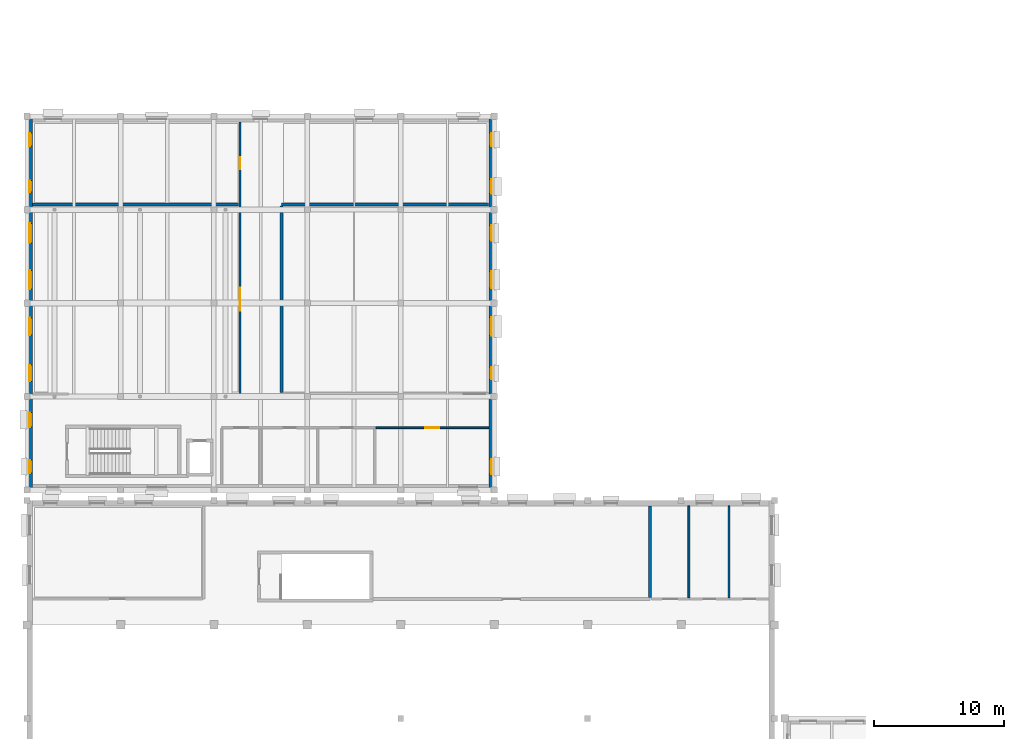
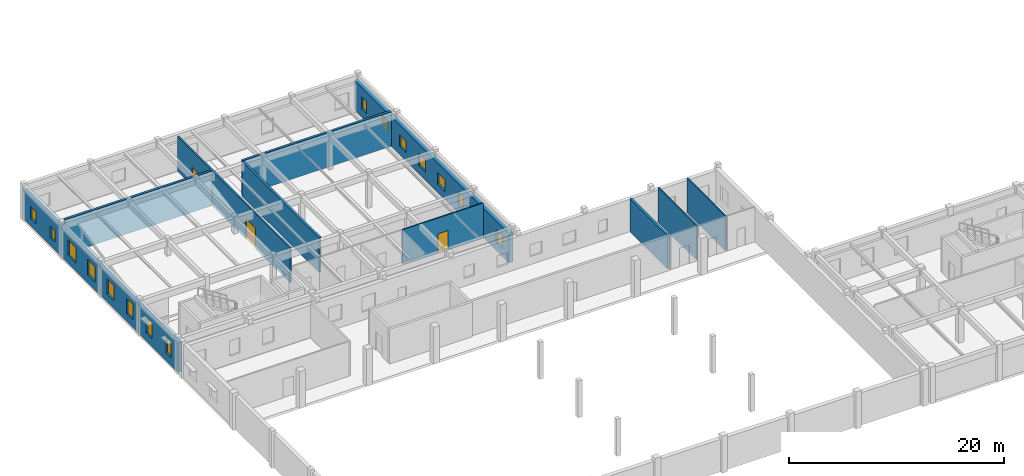
# One storey, part 28 of 49: 15 windows, 10 walls, 3 doors, 18 openings.
"""IFC4 building model written with IfcOpenShell, lengths in metres."""

import ifcopenshell
import ifcopenshell.guid

model = None  # the IFC model being written
_history = None  # IfcOwnerHistory: only IFC2X3 demands one
_inside = {}  # id of a spatial element -> (the spatial element, [elements in it])
_under = {}  # id of a project, library or spatial element -> (it, [spatial elements below it])
_declared = {}  # id of a project -> (the project, [libraries it declares])
_typed = {}  # id of a type object -> (the type object, [elements of that type])
_made_of = {}  # id of a material, layer set ... -> (it, [elements and type objects made of it])


def new_model(schema):
    """Start an empty IFC model of exactly this schema.

    Asked for "IFC4X3", IfcOpenShell would pick the latest addendum, in which some entities
    have other attributes; the version numbers below select the first issue.
    IFC2X3 requires an IfcOwnerHistory on every rooted entity: one is made here for all.
    """
    global model, _history
    if schema == "IFC4X3":
        model = ifcopenshell.file(schema_version=(4, 3, 0, 0))
    else:
        model = ifcopenshell.file(schema=schema)
    _inside.clear()
    _under.clear()
    _declared.clear()
    _typed.clear()
    _made_of.clear()
    _history = None
    if model.schema == "IFC2X3":
        org = make("IfcOrganization", Name="unknown")
        user = make(
            "IfcPersonAndOrganization",
            ThePerson=make("IfcPerson", FamilyName="unknown"),
            TheOrganization=org,
        )
        app = make(
            "IfcApplication",
            ApplicationDeveloper=org,
            Version="unknown",
            ApplicationFullName="unknown",
            ApplicationIdentifier="unknown",
        )
        _history = make(
            "IfcOwnerHistory",
            OwningUser=user,
            OwningApplication=app,
            ChangeAction="ADDED",
            CreationDate=0,
        )
    return model


def make(cls, **values):
    """One entity of the class cls with the attributes given. An attribute that is None is left unset."""
    return model.create_entity(
        cls, **{name: value for name, value in values.items() if value is not None}
    )


def rooted(cls, **values):
    """An entity with a GlobalId (a new one), such as an element, a storey or a relation."""
    return make(cls, GlobalId=ifcopenshell.guid.new(), OwnerHistory=_history, **values)


def si_unit(unit_type, name, prefix=None):
    """IfcSIUnit, for example si_unit("LENGTHUNIT", "METRE", prefix="MILLI")."""
    return make("IfcSIUnit", UnitType=unit_type, Prefix=prefix, Name=name)


def assignment(units):
    """IfcUnitAssignment: the units of a project."""
    return None if units is None else make("IfcUnitAssignment", Units=units)


def point(xyz):
    """IfcCartesianPoint."""
    return None if xyz is None else make("IfcCartesianPoint", Coordinates=xyz)


def direction(xyz):
    """IfcDirection."""
    return None if xyz is None else make("IfcDirection", DirectionRatios=xyz)


def frame(location, z_axis=None, x_axis=None):
    """IfcAxis2Placement3D, a coordinate frame: its origin and axes. An axis left out is left unset."""
    return make(
        "IfcAxis2Placement3D",
        Location=point(location),
        Axis=direction(z_axis),
        RefDirection=direction(x_axis),
    )


def frame_2d(location, x_axis=None):
    """IfcAxis2Placement2D, a coordinate frame in the plane: its origin and x axis."""
    return make(
        "IfcAxis2Placement2D", Location=point(location), RefDirection=direction(x_axis)
    )


def origin():
    """The frame at (0, 0, 0) with its axes left unset."""
    return frame((0.0, 0.0, 0.0))


def place(relative_to, where):
    """IfcLocalPlacement: puts the frame where relative to a parent placement (None: the world)."""
    return make(
        "IfcLocalPlacement", PlacementRelTo=relative_to, RelativePlacement=where
    )


def context(
    kind, dimensions, precision=None, world=None, true_north=None, identifier=None
):
    """IfcGeometricRepresentationContext, for example the 3D "Model" context."""
    return make(
        "IfcGeometricRepresentationContext",
        ContextIdentifier=identifier,
        ContextType=kind,
        CoordinateSpaceDimension=dimensions,
        Precision=precision,
        WorldCoordinateSystem=world,
        TrueNorth=true_north,
    )


def subcontext(parent, identifier, kind, view, scale=None):
    """IfcGeometricRepresentationSubContext, for example "Body" below "Model"."""
    return make(
        "IfcGeometricRepresentationSubContext",
        ContextIdentifier=identifier,
        ContextType=kind,
        ParentContext=parent,
        TargetScale=scale,
        TargetView=view,
    )


def project(units=None, contexts=None):
    """IfcProject with its units and contexts."""
    return rooted(
        "IfcProject",
        Name="project",
        RepresentationContexts=contexts,
        UnitsInContext=assignment(units),
    )


def spatial(cls, under=None, at=None, **own):
    """A site, building, storey or space (cls), placed at a placement, below another one or the project."""
    s = rooted(cls, ObjectPlacement=at, **own)
    if under is not None:
        _under.setdefault(under.id(), (under, []))[1].append(s)
    return s


def profile(cls, at=None, kind="AREA", **sizes):
    """A parametric profile (cls). Its sizes go by their IFC names, for example OverallWidth=200.0."""
    return make(cls, ProfileType=kind, Position=at, **sizes)


def rectangle(**sizes):
    """IfcRectangleProfileDef."""
    return profile("IfcRectangleProfileDef", **sizes)


def extrude(swept, where, along, depth):
    """IfcExtrudedAreaSolid: the profile swept, set in the frame where, extruded along a direction by depth."""
    return make(
        "IfcExtrudedAreaSolid",
        SweptArea=swept,
        Position=where,
        ExtrudedDirection=direction(along),
        Depth=depth,
    )


def shape(context_of_items, identifier, shape_type, items):
    """IfcShapeRepresentation: the items that make up one representation, for example the "Body"."""
    return make(
        "IfcShapeRepresentation",
        ContextOfItems=context_of_items,
        RepresentationIdentifier=identifier,
        RepresentationType=shape_type,
        Items=items,
    )


def material(Name=None, Category=None):
    """IfcMaterial."""
    return make("IfcMaterial", Name=Name, Category=Category)


def layer(
    of_material, thickness, ventilated=None, Name=None, Category=None, Priority=None
):
    """IfcMaterialLayer: one layer of a wall or slab, of a material (None: an air gap)."""
    return make(
        "IfcMaterialLayer",
        Material=of_material,
        LayerThickness=thickness,
        IsVentilated=ventilated,
        Name=Name,
        Category=Category,
        Priority=Priority,
    )


def layer_set(layers, Name=None):
    """IfcMaterialLayerSet."""
    return make("IfcMaterialLayerSet", MaterialLayers=layers, LayerSetName=Name)


def made_of(thing, what):
    """Note that an element or type object is made of a material, layer set ...; save() writes the relation."""
    if what is not None:
        _made_of.setdefault(what.id(), (what, []))[1].append(thing)
    return thing


def type_object(cls, material=None, **own):
    """A type object (cls), such as IfcWallType, which elements share."""
    return made_of(rooted(cls, **own), material)


def element(
    cls,
    number,
    at=None,
    inside=None,
    cuts=None,
    type_object=None,
    material=None,
    context=None,
    identifier="Body",
    shape_type=None,
    held_by="IfcProductDefinitionShape",
    body=None,
    shapes=None,
    **own,
):
    """One element of the class cls, such as IfcWall. Its Tag is "e" and its number.

    at: its placement. inside: the storey or other place that contains it. cuts: it is an
    opening in that element (IfcRelVoidsElement). A single representation is given by context,
    identifier, shape_type and body (its items); several are given by shapes. held_by: the class
    of the entity that holds the representations. save() writes the other relations.
    """
    e = rooted(cls, Tag="e%d" % number, ObjectPlacement=at, **own)
    if body is not None:
        shapes = [shape(context, identifier, shape_type, body)]
    if shapes is not None:
        e.Representation = make(held_by, Representations=shapes)
    if inside is not None:
        _inside.setdefault(inside.id(), (inside, []))[1].append(e)
    if cuts is not None:
        rooted(
            "IfcRelVoidsElement", RelatingBuildingElement=cuts, RelatedOpeningElement=e
        )
    if type_object is not None:
        _typed.setdefault(type_object.id(), (type_object, []))[1].append(e)
    return made_of(e, material)


def fill(opening, filler):
    """IfcRelFillsElement: the door or window that sits in an opening."""
    return rooted(
        "IfcRelFillsElement",
        RelatingOpeningElement=opening,
        RelatedBuildingElement=filler,
    )


def aggregate(whole, parts):
    """IfcRelAggregates: a whole, such as a stair, and the parts it consists of."""
    return rooted("IfcRelAggregates", RelatingObject=whole, RelatedObjects=parts)


def save(model, path):
    """Write the relations noted so far, then the file.

    IfcRelAggregates (storeys below a building ...), IfcRelContainedInSpatialStructure (elements
    in a storey), IfcRelDefinesByType, IfcRelAssociatesMaterial and IfcRelDeclares: one each for
    every whole, place, type object, material and project.
    """
    for whole, parts in _under.values():
        aggregate(whole, parts)
    for where, things in _inside.values():
        rooted(
            "IfcRelContainedInSpatialStructure",
            RelatedElements=things,
            RelatingStructure=where,
        )
    for kind, things in _typed.values():
        rooted("IfcRelDefinesByType", RelatedObjects=things, RelatingType=kind)
    for what, things in _made_of.values():
        rooted("IfcRelAssociatesMaterial", RelatedObjects=things, RelatingMaterial=what)
    for by, libraries in _declared.values():
        rooted("IfcRelDeclares", RelatingContext=by, RelatedDefinitions=libraries)
    model.write(path)


model = new_model("IFC4")

# Units and contexts
model_context = context("Model", 3, precision=1e-05, world=origin(), true_north=direction((0.0, 1.0)))
body_context = subcontext(model_context, "Body", "Model", "MODEL_VIEW")
ifc_project = project(units=[si_unit("LENGTHUNIT", "METRE"), si_unit("AREAUNIT", "SQUARE_METRE"), si_unit("VOLUMEUNIT", "CUBIC_METRE"), si_unit("PLANEANGLEUNIT", "RADIAN"), si_unit("MASSUNIT", "GRAM", prefix="KILO")], contexts=[model_context])

# Site, building, storey
site_placement = place(None, origin())
site = spatial("IfcSite", under=ifc_project, at=site_placement, CompositionType="ELEMENT")
building_placement = place(site_placement, origin())
building = spatial("IfcBuilding", under=site, at=building_placement, Name="Bramveld Media Centre", CompositionType="ELEMENT")
storey_placement = place(building_placement, frame((0.0, 0.0, 9.60009765625)))
storey = spatial("IfcBuildingStorey", under=building, at=storey_placement, Name="L02", CompositionType="ELEMENT", Elevation=9.60009765625)

# Wall, openings, windows
ifc_material_1 = material(Name="Flemish red-brown clay facing brick cavity wall with concrete C35/45 inner leaf", Category="masonry")
ifc_layer_1 = layer(ifc_material_1, 0.419921875)
ifc_layer_set_1 = layer_set([ifc_layer_1], Name="Flemish red-brown clay facing brick cavity wall with concrete C35/45 inner leaf")
wall_type_1 = type_object("IfcWallType", Name="EW-BRK-420", PredefinedType="SOLIDWALL", material=ifc_layer_set_1)
wall_1_placement = place(storey_placement, frame((35.7900390625, 68.0, 0.0), z_axis=(0.0, 0.0, 1.0), x_axis=(0.0, -1.0, 0.0)))
wall_1 = element("IfcWall", 1, at=wall_1_placement, inside=storey, type_object=wall_type_1, Name="V3 L02 E facing brick exterior wall", PredefinedType="SOLIDWALL", context=body_context, shape_type="SweptSolid", body=[
    extrude(rectangle(XDim=28.800048828125, YDim=0.419921875, at=frame_2d((14.39990234375, 0.0))), origin(), (0.0, 0.0, 1.0), 3.344970703125),
])
opening_1_placement = place(wall_1_placement, frame((1.300048828125, 0.0, 0.89990234375)))
opening_1 = element("IfcOpeningElement", 2, at=opening_1_placement, cuts=wall_1, Name="Opening W-02", PredefinedType="OPENING", context=body_context, shape_type="SweptSolid", body=[
    extrude(rectangle(XDim=1.0, YDim=1.35009765625, at=frame_2d((0.5, 0.675048828125))), frame((0.0, 0.221923828125, 0.0), z_axis=(0.0, -1.0, 0.0), x_axis=(1.0, 0.0, 0.0)), (0.0, 0.0, 1.0), 0.44384765625),
])
opening_2_placement = place(wall_1_placement, frame((4.85009765625, 0.0, 0.89990234375)))
opening_2 = element("IfcOpeningElement", 3, at=opening_2_placement, cuts=wall_1, Name="Opening W-03", PredefinedType="OPENING", context=body_context, shape_type="SweptSolid", body=[
    extrude(rectangle(XDim=1.10009765625, YDim=1.35009765625, at=frame_2d((0.550048828125, 0.675048828125))), frame((0.0, 0.221923828125, 0.0), z_axis=(0.0, -1.0, 0.0), x_axis=(1.0, 0.0, 0.0)), (0.0, 0.0, 1.0), 0.44384765625),
])
opening_3_placement = place(wall_1_placement, frame((8.39990234375, 0.0, 0.89990234375)))
opening_3 = element("IfcOpeningElement", 4, at=opening_3_placement, cuts=wall_1, Name="Opening W-04", PredefinedType="OPENING", context=body_context, shape_type="SweptSolid", body=[
    extrude(rectangle(XDim=1.199951171875, YDim=1.35009765625, at=frame_2d((0.60009765625, 0.675048828125))), frame((0.0, 0.221923828125, 0.0), z_axis=(0.0, -1.0, 0.0), x_axis=(1.0, 0.0, 0.0)), (0.0, 0.0, 1.0), 0.44384765625),
])
opening_4_placement = place(wall_1_placement, frame((11.949951171875, 0.0, 0.89990234375)))
opening_4 = element("IfcOpeningElement", 5, at=opening_4_placement, cuts=wall_1, Name="Opening W-05", PredefinedType="OPENING", context=body_context, shape_type="SweptSolid", body=[
    extrude(rectangle(XDim=1.300048828125, YDim=1.35009765625, at=frame_2d((0.64990234375, 0.675048828125))), frame((0.0, 0.221923828125, 0.0), z_axis=(0.0, -1.0, 0.0), x_axis=(1.0, 0.0, 0.0)), (0.0, 0.0, 1.0), 0.44384765625),
])
opening_5_placement = place(wall_1_placement, frame((15.5, 0.0, 0.89990234375)))
opening_5 = element("IfcOpeningElement", 6, at=opening_5_placement, cuts=wall_1, Name="Opening W-06", PredefinedType="OPENING", context=body_context, shape_type="SweptSolid", body=[
    extrude(rectangle(XDim=1.39990234375, YDim=1.35009765625, at=frame_2d((0.699951171875, 0.675048828125))), frame((0.0, 0.221923828125, 0.0), z_axis=(0.0, -1.0, 0.0), x_axis=(1.0, 0.0, 0.0)), (0.0, 0.0, 1.0), 0.44384765625),
])
opening_6_placement = place(wall_1_placement, frame((19.324951171875, 0.0, 0.89990234375)))
opening_6 = element("IfcOpeningElement", 7, at=opening_6_placement, cuts=wall_1, Name="Opening W-07", PredefinedType="OPENING", context=body_context, shape_type="SweptSolid", body=[
    extrude(rectangle(XDim=0.949951171875, YDim=1.449951171875, at=frame_2d((0.47509765625, 0.72509765625))), frame((0.0, 0.221923828125, 0.0), z_axis=(0.0, -1.0, 0.0), x_axis=(1.0, 0.0, 0.0)), (0.0, 0.0, 1.0), 0.44384765625),
])
opening_7_placement = place(wall_1_placement, frame((26.425048828125, 0.0, 0.89990234375)))
opening_7 = element("IfcOpeningElement", 8, at=opening_7_placement, cuts=wall_1, Name="Opening W-09", PredefinedType="OPENING", context=body_context, shape_type="SweptSolid", body=[
    extrude(rectangle(XDim=1.14990234375, YDim=1.449951171875, at=frame_2d((0.574951171875, 0.72509765625))), frame((0.0, 0.221923828125, 0.0), z_axis=(0.0, -1.0, 0.0), x_axis=(1.0, 0.0, 0.0)), (0.0, 0.0, 1.0), 0.44384765625),
])
ifc_material_2 = material(Name="Thermally broken anodized bronze aluminium frame with triple acoustic glazing", Category="aluminium")
window_type_1 = type_object("IfcWindowType", Name="WIN-FAC-02", PartitioningType="SINGLE_PANEL", PredefinedType="WINDOW", material=ifc_material_2)
window_1_placement = place(opening_1_placement, origin())
window_1 = element("IfcWindow", 9, at=window_1_placement, inside=storey, type_object=window_type_1, Name="V3 L02 E acoustic facade window", OverallHeight=1.35009765625, OverallWidth=1.0, PartitioningType="SINGLE_PANEL", PredefinedType="WINDOW", context=body_context, shape_type="SweptSolid", body=[
    extrude(rectangle(XDim=1.0, YDim=1.35009765625, at=frame_2d((0.5, 0.675048828125))), frame((0.0, 0.030029296875, 0.0), z_axis=(0.0, -1.0, 0.0), x_axis=(1.0, 0.0, 0.0)), (0.0, 0.0, 1.0), 0.06005859375),
])
fill(opening_1, window_1)
ifc_material_3 = material(Name="Thermally broken anodized bronze aluminium frame with triple acoustic glazing", Category="aluminium")
window_type_2 = type_object("IfcWindowType", Name="WIN-FAC-03", PartitioningType="SINGLE_PANEL", PredefinedType="WINDOW", material=ifc_material_3)
window_2_placement = place(opening_2_placement, origin())
window_2 = element("IfcWindow", 10, at=window_2_placement, inside=storey, type_object=window_type_2, Name="V3 L02 E acoustic facade window", OverallHeight=1.35009765625, OverallWidth=1.10009765625, PartitioningType="SINGLE_PANEL", PredefinedType="WINDOW", context=body_context, shape_type="SweptSolid", body=[
    extrude(rectangle(XDim=1.10009765625, YDim=1.35009765625, at=frame_2d((0.550048828125, 0.675048828125))), frame((0.0, 0.030029296875, 0.0), z_axis=(0.0, -1.0, 0.0), x_axis=(1.0, 0.0, 0.0)), (0.0, 0.0, 1.0), 0.06005859375),
])
fill(opening_2, window_2)
ifc_material_4 = material(Name="Thermally broken anodized bronze aluminium frame with triple acoustic glazing", Category="aluminium")
window_type_3 = type_object("IfcWindowType", Name="WIN-FAC-04", PartitioningType="SINGLE_PANEL", PredefinedType="WINDOW", material=ifc_material_4)
window_3_placement = place(opening_3_placement, origin())
window_3 = element("IfcWindow", 11, at=window_3_placement, inside=storey, type_object=window_type_3, Name="V3 L02 E acoustic facade window", OverallHeight=1.35009765625, OverallWidth=1.199951171875, PartitioningType="SINGLE_PANEL", PredefinedType="WINDOW", context=body_context, shape_type="SweptSolid", body=[
    extrude(rectangle(XDim=1.199951171875, YDim=1.35009765625, at=frame_2d((0.60009765625, 0.675048828125))), frame((0.0, 0.030029296875, 0.0), z_axis=(0.0, -1.0, 0.0), x_axis=(1.0, 0.0, 0.0)), (0.0, 0.0, 1.0), 0.06005859375),
])
fill(opening_3, window_3)
ifc_material_5 = material(Name="Thermally broken anodized bronze aluminium frame with triple acoustic glazing", Category="aluminium")
window_type_4 = type_object("IfcWindowType", Name="WIN-FAC-05", PartitioningType="SINGLE_PANEL", PredefinedType="WINDOW", material=ifc_material_5)
window_4_placement = place(opening_4_placement, origin())
window_4 = element("IfcWindow", 12, at=window_4_placement, inside=storey, type_object=window_type_4, Name="V3 L02 E acoustic facade window", OverallHeight=1.35009765625, OverallWidth=1.300048828125, PartitioningType="SINGLE_PANEL", PredefinedType="WINDOW", context=body_context, shape_type="SweptSolid", body=[
    extrude(rectangle(XDim=1.300048828125, YDim=1.35009765625, at=frame_2d((0.64990234375, 0.675048828125))), frame((0.0, 0.030029296875, 0.0), z_axis=(0.0, -1.0, 0.0), x_axis=(1.0, 0.0, 0.0)), (0.0, 0.0, 1.0), 0.06005859375),
])
fill(opening_4, window_4)
ifc_material_6 = material(Name="Thermally broken anodized bronze aluminium frame with triple acoustic glazing", Category="aluminium")
window_type_5 = type_object("IfcWindowType", Name="WIN-FAC-06", PartitioningType="SINGLE_PANEL", PredefinedType="WINDOW", material=ifc_material_6)
window_5_placement = place(opening_5_placement, origin())
window_5 = element("IfcWindow", 13, at=window_5_placement, inside=storey, type_object=window_type_5, Name="V3 L02 E acoustic facade window", OverallHeight=1.35009765625, OverallWidth=1.39990234375, PartitioningType="SINGLE_PANEL", PredefinedType="WINDOW", context=body_context, shape_type="SweptSolid", body=[
    extrude(rectangle(XDim=1.39990234375, YDim=1.35009765625, at=frame_2d((0.699951171875, 0.675048828125))), frame((0.0, 0.030029296875, 0.0), z_axis=(0.0, -1.0, 0.0), x_axis=(1.0, 0.0, 0.0)), (0.0, 0.0, 1.0), 0.06005859375),
])
fill(opening_5, window_5)
ifc_material_7 = material(Name="Thermally broken anodized bronze aluminium frame with triple acoustic glazing", Category="aluminium")
window_type_6 = type_object("IfcWindowType", Name="WIN-FAC-07", PartitioningType="SINGLE_PANEL", PredefinedType="WINDOW", material=ifc_material_7)
window_6_placement = place(opening_6_placement, origin())
window_6 = element("IfcWindow", 14, at=window_6_placement, inside=storey, type_object=window_type_6, Name="V3 L02 E acoustic facade window", OverallHeight=1.449951171875, OverallWidth=0.949951171875, PartitioningType="SINGLE_PANEL", PredefinedType="WINDOW", context=body_context, shape_type="SweptSolid", body=[
    extrude(rectangle(XDim=0.949951171875, YDim=1.449951171875, at=frame_2d((0.47509765625, 0.72509765625))), frame((0.0, 0.030029296875, 0.0), z_axis=(0.0, -1.0, 0.0), x_axis=(1.0, 0.0, 0.0)), (0.0, 0.0, 1.0), 0.06005859375),
])
fill(opening_6, window_6)
ifc_material_8 = material(Name="Thermally broken anodized bronze aluminium frame with triple acoustic glazing", Category="aluminium")
window_type_7 = type_object("IfcWindowType", Name="WIN-FAC-09", PartitioningType="SINGLE_PANEL", PredefinedType="WINDOW", material=ifc_material_8)
window_7_placement = place(opening_7_placement, origin())
window_7 = element("IfcWindow", 15, at=window_7_placement, inside=storey, type_object=window_type_7, Name="V3 L02 E acoustic facade window", OverallHeight=1.449951171875, OverallWidth=1.14990234375, PartitioningType="SINGLE_PANEL", PredefinedType="WINDOW", context=body_context, shape_type="SweptSolid", body=[
    extrude(rectangle(XDim=1.14990234375, YDim=1.449951171875, at=frame_2d((0.574951171875, 0.72509765625))), frame((0.0, 0.030029296875, 0.0), z_axis=(0.0, -1.0, 0.0), x_axis=(1.0, 0.0, 0.0)), (0.0, 0.0, 1.0), 0.06005859375),
])
fill(opening_7, window_7)

wall_2_placement = place(storey_placement, frame((0.2099609375, 39.199951171875, 0.0), z_axis=(0.0, 0.0, 1.0), x_axis=(0.0, 1.0, 0.0)))
wall_2 = element("IfcWall", 16, at=wall_2_placement, inside=storey, type_object=wall_type_1, Name="V3 L02 W facing brick exterior wall", PredefinedType="SOLIDWALL", context=body_context, shape_type="SweptSolid", body=[
    extrude(rectangle(XDim=28.800048828125, YDim=0.419921875, at=frame_2d((14.39990234375, 0.0))), origin(), (0.0, 0.0, 1.0), 3.344970703125),
])
opening_8_placement = place(wall_2_placement, frame((1.300048828125, 0.0, 0.89990234375)))
opening_8 = element("IfcOpeningElement", 17, at=opening_8_placement, cuts=wall_2, Name="Opening W-19", PredefinedType="OPENING", context=body_context, shape_type="SweptSolid", body=[
    extrude(rectangle(XDim=1.0, YDim=1.75, at=frame_2d((0.5, 0.875))), frame((0.0, 0.221923828125, 0.0), z_axis=(0.0, -1.0, 0.0), x_axis=(1.0, 0.0, 0.0)), (0.0, 0.0, 1.0), 0.44384765625),
])
opening_9_placement = place(wall_2_placement, frame((4.840087890625, 0.0, 0.89990234375)))
opening_9 = element("IfcOpeningElement", 18, at=opening_9_placement, cuts=wall_2, Name="Opening W-20", PredefinedType="OPENING", context=body_context, shape_type="SweptSolid", body=[
    extrude(rectangle(XDim=1.1201171875, YDim=1.75, at=frame_2d((0.56005859375, 0.875))), frame((0.0, 0.221923828125, 0.0), z_axis=(0.0, -1.0, 0.0), x_axis=(1.0, 0.0, 0.0)), (0.0, 0.0, 1.0), 0.44384765625),
])
opening_10_placement = place(wall_2_placement, frame((8.3798828125, 0.0, 0.89990234375)))
opening_10 = element("IfcOpeningElement", 19, at=opening_10_placement, cuts=wall_2, Name="Opening W-21", PredefinedType="OPENING", context=body_context, shape_type="SweptSolid", body=[
    extrude(rectangle(XDim=1.239990234375, YDim=1.75, at=frame_2d((0.6201171875, 0.875))), frame((0.0, 0.221923828125, 0.0), z_axis=(0.0, -1.0, 0.0), x_axis=(1.0, 0.0, 0.0)), (0.0, 0.0, 1.0), 0.44384765625),
])
opening_11_placement = place(wall_2_placement, frame((11.929931640625, 0.0, 0.89990234375)))
opening_11 = element("IfcOpeningElement", 20, at=opening_11_placement, cuts=wall_2, Name="Opening W-22", PredefinedType="OPENING", context=body_context, shape_type="SweptSolid", body=[
    extrude(rectangle(XDim=1.340087890625, YDim=1.75, at=frame_2d((0.669921875, 0.875))), frame((0.0, 0.221923828125, 0.0), z_axis=(0.0, -1.0, 0.0), x_axis=(1.0, 0.0, 0.0)), (0.0, 0.0, 1.0), 0.44384765625),
])
opening_12_placement = place(wall_2_placement, frame((15.47998046875, 0.0, 0.89990234375)))
opening_12 = element("IfcOpeningElement", 21, at=opening_12_placement, cuts=wall_2, Name="Opening W-23", PredefinedType="OPENING", context=body_context, shape_type="SweptSolid", body=[
    extrude(rectangle(XDim=1.43994140625, YDim=1.75, at=frame_2d((0.719970703125, 0.875))), frame((0.0, 0.221923828125, 0.0), z_axis=(0.0, -1.0, 0.0), x_axis=(1.0, 0.0, 0.0)), (0.0, 0.0, 1.0), 0.44384765625),
])
opening_13_placement = place(wall_2_placement, frame((19.050048828125, 0.0, 0.89990234375)))
opening_13 = element("IfcOpeningElement", 22, at=opening_13_placement, cuts=wall_2, Name="Opening W-24", PredefinedType="OPENING", context=body_context, shape_type="SweptSolid", body=[
    extrude(rectangle(XDim=1.5, YDim=1.75, at=frame_2d((0.75, 0.875))), frame((0.0, 0.221923828125, 0.0), z_axis=(0.0, -1.0, 0.0), x_axis=(1.0, 0.0, 0.0)), (0.0, 0.0, 1.0), 0.44384765625),
])
opening_14_placement = place(wall_2_placement, frame((22.949951171875, 0.0, 0.89990234375)))
opening_14 = element("IfcOpeningElement", 23, at=opening_14_placement, cuts=wall_2, Name="Opening W-01", PredefinedType="OPENING", context=body_context, shape_type="SweptSolid", body=[
    extrude(rectangle(XDim=0.89990234375, YDim=1.35009765625, at=frame_2d((0.449951171875, 0.675048828125))), frame((0.0, 0.221923828125, 0.0), z_axis=(0.0, -1.0, 0.0), x_axis=(1.0, 0.0, 0.0)), (0.0, 0.0, 1.0), 0.44384765625),
])
opening_15_placement = place(wall_2_placement, frame((26.5, 0.0, 0.89990234375)))
opening_15 = element("IfcOpeningElement", 24, at=opening_15_placement, cuts=wall_2, Name="Opening W-02", PredefinedType="OPENING", context=body_context, shape_type="SweptSolid", body=[
    extrude(rectangle(XDim=1.0, YDim=1.35009765625, at=frame_2d((0.5, 0.675048828125))), frame((0.0, 0.221923828125, 0.0), z_axis=(0.0, -1.0, 0.0), x_axis=(1.0, 0.0, 0.0)), (0.0, 0.0, 1.0), 0.44384765625),
])
ifc_material_9 = material(Name="Thermally broken anodized bronze aluminium frame with triple acoustic glazing", Category="aluminium")
window_type_8 = type_object("IfcWindowType", Name="WIN-FAC-01", PartitioningType="SINGLE_PANEL", PredefinedType="WINDOW", material=ifc_material_9)
window_8_placement = place(opening_14_placement, origin())
window_8 = element("IfcWindow", 25, at=window_8_placement, inside=storey, type_object=window_type_8, Name="V3 L02 W acoustic facade window", OverallHeight=1.35009765625, OverallWidth=0.89990234375, PartitioningType="SINGLE_PANEL", PredefinedType="WINDOW", context=body_context, shape_type="SweptSolid", body=[
    extrude(rectangle(XDim=0.89990234375, YDim=1.35009765625, at=frame_2d((0.449951171875, 0.675048828125))), frame((0.0, 0.030029296875, 0.0), z_axis=(0.0, -1.0, 0.0), x_axis=(1.0, 0.0, 0.0)), (0.0, 0.0, 1.0), 0.06005859375),
])
fill(opening_14, window_8)
window_9_placement = place(opening_15_placement, origin())
window_9 = element("IfcWindow", 26, at=window_9_placement, inside=storey, type_object=window_type_1, Name="V3 L02 W acoustic facade window", OverallHeight=1.35009765625, OverallWidth=1.0, PartitioningType="SINGLE_PANEL", PredefinedType="WINDOW", context=body_context, shape_type="SweptSolid", body=[
    extrude(rectangle(XDim=1.0, YDim=1.35009765625, at=frame_2d((0.5, 0.675048828125))), frame((0.0, 0.030029296875, 0.0), z_axis=(0.0, -1.0, 0.0), x_axis=(1.0, 0.0, 0.0)), (0.0, 0.0, 1.0), 0.06005859375),
])
fill(opening_15, window_9)
ifc_material_10 = material(Name="Thermally broken anodized bronze aluminium frame with triple acoustic glazing", Category="aluminium")
window_type_9 = type_object("IfcWindowType", Name="WIN-FAC-19", PartitioningType="SINGLE_PANEL", PredefinedType="WINDOW", material=ifc_material_10)
window_10_placement = place(opening_8_placement, origin())
window_10 = element("IfcWindow", 27, at=window_10_placement, inside=storey, type_object=window_type_9, Name="V3 L02 W acoustic facade window", OverallHeight=1.75, OverallWidth=1.0, PartitioningType="SINGLE_PANEL", PredefinedType="WINDOW", context=body_context, shape_type="SweptSolid", body=[
    extrude(rectangle(XDim=1.0, YDim=1.75, at=frame_2d((0.5, 0.875))), frame((0.0, 0.030029296875, 0.0), z_axis=(0.0, -1.0, 0.0), x_axis=(1.0, 0.0, 0.0)), (0.0, 0.0, 1.0), 0.06005859375),
])
fill(opening_8, window_10)
ifc_material_11 = material(Name="Thermally broken anodized bronze aluminium frame with triple acoustic glazing", Category="aluminium")
window_type_10 = type_object("IfcWindowType", Name="WIN-FAC-20", PartitioningType="SINGLE_PANEL", PredefinedType="WINDOW", material=ifc_material_11)
window_11_placement = place(opening_9_placement, origin())
window_11 = element("IfcWindow", 28, at=window_11_placement, inside=storey, type_object=window_type_10, Name="V3 L02 W acoustic facade window", OverallHeight=1.75, OverallWidth=1.1201171875, PartitioningType="SINGLE_PANEL", PredefinedType="WINDOW", context=body_context, shape_type="SweptSolid", body=[
    extrude(rectangle(XDim=1.1201171875, YDim=1.75, at=frame_2d((0.56005859375, 0.875))), frame((0.0, 0.030029296875, 0.0), z_axis=(0.0, -1.0, 0.0), x_axis=(1.0, 0.0, 0.0)), (0.0, 0.0, 1.0), 0.06005859375),
])
fill(opening_9, window_11)
ifc_material_12 = material(Name="Thermally broken anodized bronze aluminium frame with triple acoustic glazing", Category="aluminium")
window_type_11 = type_object("IfcWindowType", Name="WIN-FAC-21", PartitioningType="SINGLE_PANEL", PredefinedType="WINDOW", material=ifc_material_12)
window_12_placement = place(opening_10_placement, origin())
window_12 = element("IfcWindow", 29, at=window_12_placement, inside=storey, type_object=window_type_11, Name="V3 L02 W acoustic facade window", OverallHeight=1.75, OverallWidth=1.239990234375, PartitioningType="SINGLE_PANEL", PredefinedType="WINDOW", context=body_context, shape_type="SweptSolid", body=[
    extrude(rectangle(XDim=1.239990234375, YDim=1.75, at=frame_2d((0.6201171875, 0.875))), frame((0.0, 0.030029296875, 0.0), z_axis=(0.0, -1.0, 0.0), x_axis=(1.0, 0.0, 0.0)), (0.0, 0.0, 1.0), 0.06005859375),
])
fill(opening_10, window_12)
ifc_material_13 = material(Name="Thermally broken anodized bronze aluminium frame with triple acoustic glazing", Category="aluminium")
window_type_12 = type_object("IfcWindowType", Name="WIN-FAC-22", PartitioningType="SINGLE_PANEL", PredefinedType="WINDOW", material=ifc_material_13)
window_13_placement = place(opening_11_placement, origin())
window_13 = element("IfcWindow", 30, at=window_13_placement, inside=storey, type_object=window_type_12, Name="V3 L02 W acoustic facade window", OverallHeight=1.75, OverallWidth=1.340087890625, PartitioningType="SINGLE_PANEL", PredefinedType="WINDOW", context=body_context, shape_type="SweptSolid", body=[
    extrude(rectangle(XDim=1.340087890625, YDim=1.75, at=frame_2d((0.669921875, 0.875))), frame((0.0, 0.030029296875, 0.0), z_axis=(0.0, -1.0, 0.0), x_axis=(1.0, 0.0, 0.0)), (0.0, 0.0, 1.0), 0.06005859375),
])
fill(opening_11, window_13)
ifc_material_14 = material(Name="Thermally broken anodized bronze aluminium frame with triple acoustic glazing", Category="aluminium")
window_type_13 = type_object("IfcWindowType", Name="WIN-FAC-23", PartitioningType="SINGLE_PANEL", PredefinedType="WINDOW", material=ifc_material_14)
window_14_placement = place(opening_12_placement, origin())
window_14 = element("IfcWindow", 31, at=window_14_placement, inside=storey, type_object=window_type_13, Name="V3 L02 W acoustic facade window", OverallHeight=1.75, OverallWidth=1.43994140625, PartitioningType="SINGLE_PANEL", PredefinedType="WINDOW", context=body_context, shape_type="SweptSolid", body=[
    extrude(rectangle(XDim=1.43994140625, YDim=1.75, at=frame_2d((0.719970703125, 0.875))), frame((0.0, 0.030029296875, 0.0), z_axis=(0.0, -1.0, 0.0), x_axis=(1.0, 0.0, 0.0)), (0.0, 0.0, 1.0), 0.06005859375),
])
fill(opening_12, window_14)
ifc_material_15 = material(Name="Thermally broken anodized bronze aluminium frame with triple acoustic glazing", Category="aluminium")
window_type_14 = type_object("IfcWindowType", Name="WIN-FAC-24", PartitioningType="SINGLE_PANEL", PredefinedType="WINDOW", material=ifc_material_15)
window_15_placement = place(opening_13_placement, origin())
window_15 = element("IfcWindow", 32, at=window_15_placement, inside=storey, type_object=window_type_14, Name="V3 L02 W acoustic facade window", OverallHeight=1.75, OverallWidth=1.5, PartitioningType="SINGLE_PANEL", PredefinedType="WINDOW", context=body_context, shape_type="SweptSolid", body=[
    extrude(rectangle(XDim=1.5, YDim=1.75, at=frame_2d((0.75, 0.875))), frame((0.0, 0.030029296875, 0.0), z_axis=(0.0, -1.0, 0.0), x_axis=(1.0, 0.0, 0.0)), (0.0, 0.0, 1.0), 0.06005859375),
])
fill(opening_13, window_15)

# Walls
ifc_material_16 = material(Name="Double-stud acoustic gypsum & mineral-wool studio wall", Category="gypsum")
ifc_layer_2 = layer(ifc_material_16, 0.239990234375)
ifc_layer_set_2 = layer_set([ifc_layer_2], Name="Double-stud acoustic gypsum & mineral-wool studio wall")
wall_type_2 = type_object("IfcWallType", Name="IW-ACOU-240", PredefinedType="PARTITIONING", material=ifc_layer_set_2)
wall_3_placement = place(storey_placement, frame((48.0, 30.929931640625, 0.0), z_axis=(0.0, 0.0, 1.0), x_axis=(0.0, 1.0, 0.0)))
element("IfcWall", 33, at=wall_3_placement, inside=storey, type_object=wall_type_2, Name="Low-Velocity Studio Acoustic Plant Room partition wall", PredefinedType="PARTITIONING", context=body_context, shape_type="SweptSolid", body=[
    extrude(rectangle(XDim=7.0400390625, YDim=0.239990234375, at=frame_2d((3.52001953125, 0.0))), origin(), (0.0, 0.0, 1.0), 3.77490234375),
])
wall_4_placement = place(storey_placement, frame((0.429931640625, 61.199951171875, 0.0), z_axis=(0.0, 0.0, 1.0), x_axis=(1.0, 0.0, 0.0)))
element("IfcWall", 34, at=wall_4_placement, inside=storey, type_object=wall_type_2, Name="Screen 5 Arthouse Cinema partition wall", PredefinedType="PARTITIONING", context=body_context, shape_type="SweptSolid", body=[
    extrude(rectangle(XDim=15.8701171875, YDim=0.239990234375, at=frame_2d((7.93505859375, 0.0))), origin(), (0.0, 0.0, 1.0), 3.9599609375),
])
wall_5_placement = place(storey_placement, frame((19.60009765625, 61.199951171875, 0.0), z_axis=(0.0, 0.0, 1.0), x_axis=(1.0, 0.0, 0.0)))
element("IfcWall", 35, at=wall_5_placement, inside=storey, type_object=wall_type_2, Name="Screen 6 Experimental Cinema partition wall", PredefinedType="PARTITIONING", context=body_context, shape_type="SweptSolid", body=[
    extrude(rectangle(XDim=15.969970703125, YDim=0.239990234375, at=frame_2d((7.98486328125, 0.0))), origin(), (0.0, 0.0, 1.0), 3.9599609375),
])
wall_6_placement = place(storey_placement, frame((19.60009765625, 46.72998046875, 0.0), z_axis=(0.0, 0.0, 1.0), x_axis=(0.0, 1.0, 0.0)))
element("IfcWall", 36, at=wall_6_placement, inside=storey, type_object=wall_type_2, Name="Screen 6 Experimental Cinema partition wall", PredefinedType="PARTITIONING", context=body_context, shape_type="SweptSolid", body=[
    extrude(rectangle(XDim=14.340087890625, YDim=0.239990234375, at=frame_2d((7.169921875, 0.0))), origin(), (0.0, 0.0, 1.0), 3.949951171875),
])

# Wall, openings, doors
ifc_material_17 = material(Name="Fire-rated twin-frame gypsum corridor wall", Category="gypsum")
ifc_layer_3 = layer(ifc_material_17, 0.179931640625)
ifc_layer_set_3 = layer_set([ifc_layer_3], Name="Fire-rated twin-frame gypsum corridor wall")
wall_type_3 = type_object("IfcWallType", Name="IW-FIRE-180", PredefinedType="PARTITIONING", material=ifc_layer_set_3)
wall_7_placement = place(storey_placement, frame((16.39990234375, 46.60009765625, 0.0), z_axis=(0.0, 0.0, 1.0), x_axis=(0.0, 1.0, 0.0)))
wall_7 = element("IfcWall", 37, at=wall_7_placement, inside=storey, type_object=wall_type_3, Name="Arthouse North Branch Corridor partition wall", PredefinedType="PARTITIONING", context=body_context, shape_type="SweptSolid", body=[
    extrude(rectangle(XDim=20.969970703125, YDim=0.179931640625, at=frame_2d((10.48486328125, 0.0))), origin(), (0.0, 0.0, 1.0), 3.949951171875),
])
opening_16_placement = place(wall_7_placement, frame((6.419921875, 0.0, 0.0)))
opening_16 = element("IfcOpeningElement", 38, at=opening_16_placement, cuts=wall_7, Name="Opening D-02-106", PredefinedType="OPENING", context=body_context, shape_type="SweptSolid", body=[
    extrude(rectangle(XDim=1.760009765625, YDim=2.300048828125, at=frame_2d((0.8798828125, 1.14990234375))), frame((0.0, 0.10205078125, 0.0), z_axis=(0.0, -1.0, 0.0), x_axis=(1.0, 0.0, 0.0)), (0.0, 0.0, 1.0), 0.203857421875),
])
opening_17_placement = place(wall_7_placement, frame((17.324951171875, 0.0, 0.0)))
opening_17 = element("IfcOpeningElement", 39, at=opening_17_placement, cuts=wall_7, Name="Opening D-02-108", PredefinedType="OPENING", context=body_context, shape_type="SweptSolid", body=[
    extrude(rectangle(XDim=0.919921875, YDim=2.080078125, at=frame_2d((0.4599609375, 1.0400390625))), frame((0.0, 0.10205078125, 0.0), z_axis=(0.0, -1.0, 0.0), x_axis=(1.0, 0.0, 0.0)), (0.0, 0.0, 1.0), 0.203857421875),
])
ifc_material_18 = material(Name="Fire-rated acoustic timber & steel composite door", Category="steel")
door_type_1 = type_object("IfcDoorType", Name="DR-HALL-1760", OperationType="NOTDEFINED", PredefinedType="DOOR", material=ifc_material_18)
door_1_placement = place(opening_16_placement, origin())
door_1 = element("IfcDoor", 40, at=door_1_placement, inside=storey, type_object=door_type_1, Name="Screen 5 Arthouse Cinema entrance door", OperationType="DOUBLE_DOOR_SINGLE_SWING", OverallHeight=2.300048828125, OverallWidth=1.760009765625, PredefinedType="DOOR", context=body_context, shape_type="SweptSolid", body=[
    extrude(rectangle(XDim=1.760009765625, YDim=2.300048828125, at=frame_2d((0.8798828125, 1.14990234375))), frame((0.0, 0.02490234375, 0.0), z_axis=(0.0, -1.0, 0.0), x_axis=(1.0, 0.0, 0.0)), (0.0, 0.0, 1.0), 0.050048828125),
])
fill(opening_16, door_1)
ifc_material_19 = material(Name="Solid-core European oak acoustic timber leaf in steel frame", Category="steel")
door_type_2 = type_object("IfcDoorType", Name="DR-RM-0920", OperationType="NOTDEFINED", PredefinedType="DOOR", material=ifc_material_19)
door_2_placement = place(opening_17_placement, origin())
door_2 = element("IfcDoor", 41, at=door_2_placement, inside=storey, type_object=door_type_2, Name="Festival Press Discussion Room entrance door", OperationType="SINGLE_SWING_LEFT", OverallHeight=2.080078125, OverallWidth=0.919921875, PredefinedType="DOOR", context=body_context, shape_type="SweptSolid", body=[
    extrude(rectangle(XDim=0.919921875, YDim=2.080078125, at=frame_2d((0.4599609375, 1.0400390625))), frame((0.0, 0.02490234375, 0.0), z_axis=(0.0, -1.0, 0.0), x_axis=(1.0, 0.0, 0.0)), (0.0, 0.0, 1.0), 0.050048828125),
])
fill(opening_17, door_2)

# Wall, opening, door
ifc_material_20 = material(Name="Lightweight acoustic stud partition", Category="gypsum")
ifc_layer_4 = layer(ifc_material_20, 0.125)
ifc_layer_set_4 = layer_set([ifc_layer_4], Name="Lightweight acoustic stud partition")
wall_type_4 = type_object("IfcWallType", Name="IW-PART-125", PredefinedType="PARTITIONING", material=ifc_layer_set_4)
wall_8_placement = place(storey_placement, frame((26.8798828125, 44.0, 0.0), z_axis=(0.0, 0.0, 1.0), x_axis=(1.0, 0.0, 0.0)))
wall_8 = element("IfcWall", 42, at=wall_8_placement, inside=storey, type_object=wall_type_4, Name="Subtitling & QC Studio partition wall", PredefinedType="PARTITIONING", context=body_context, shape_type="SweptSolid", body=[
    extrude(rectangle(XDim=8.690185546875, YDim=0.125, at=frame_2d((4.34521484375, 0.0))), origin(), (0.0, 0.0, 1.0), 3.9599609375),
])
opening_18_placement = place(wall_8_placement, frame((3.804931640625, 0.0, 0.0)))
opening_18 = element("IfcOpeningElement", 43, at=opening_18_placement, cuts=wall_8, Name="Opening D-02-112", PredefinedType="OPENING", context=body_context, shape_type="SweptSolid", body=[
    extrude(rectangle(XDim=1.080078125, YDim=2.14990234375, at=frame_2d((0.5400390625, 1.074951171875))), frame((0.0, 0.074462890625, 0.0), z_axis=(0.0, -1.0, 0.0), x_axis=(1.0, 0.0, 0.0)), (0.0, 0.0, 1.0), 0.14892578125),
])
ifc_material_21 = material(Name="Solid-core European oak acoustic timber leaf in steel frame", Category="steel")
door_type_3 = type_object("IfcDoorType", Name="DR-RM-1080", OperationType="NOTDEFINED", PredefinedType="DOOR", material=ifc_material_21)
door_3_placement = place(opening_18_placement, origin())
door_3 = element("IfcDoor", 44, at=door_3_placement, inside=storey, type_object=door_type_3, Name="Subtitling & QC Studio entrance door", OperationType="SINGLE_SWING_LEFT", OverallHeight=2.14990234375, OverallWidth=1.080078125, PredefinedType="DOOR", context=body_context, shape_type="SweptSolid", body=[
    extrude(rectangle(XDim=1.080078125, YDim=2.14990234375, at=frame_2d((0.5400390625, 1.074951171875))), frame((0.0, 0.02490234375, 0.0), z_axis=(0.0, -1.0, 0.0), x_axis=(1.0, 0.0, 0.0)), (0.0, 0.0, 1.0), 0.050048828125),
])
fill(opening_18, door_3)

# Walls
ifc_material_22 = material(Name="Moisture-resistant cement-board sanitary partition", Category="gypsum")
ifc_layer_5 = layer(ifc_material_22, 0.139892578125)
ifc_layer_set_5 = layer_set([ifc_layer_5], Name="Moisture-resistant cement-board sanitary partition")
wall_type_5 = type_object("IfcWallType", Name="IW-WET-140", PredefinedType="PARTITIONING", material=ifc_layer_set_5)
for number, where, z_axis, x_axis, name in (
    (45, (51.0, 30.8798828125, 0.0), (0.0, 0.0, 1.0), (0.0, 1.0, 0.0), "Accessible WC partition wall"),
    (46, (54.10009765625, 30.8798828125, 0.0), (0.0, 0.0, 1.0), (0.0, 1.0, 0.0), "Male WC partition wall"),
):
    element("IfcWall", number, at=place(storey_placement, frame(where, z_axis=z_axis, x_axis=x_axis)), inside=storey, type_object=wall_type_5, Name=name, PredefinedType="PARTITIONING", context=body_context, shape_type="SweptSolid", body=[
        extrude(rectangle(XDim=7.090087890625, YDim=0.139892578125, at=frame_2d((3.544921875, 0.0))), origin(), (0.0, 0.0, 1.0), 3.949951171875),
    ])

save(model, "model.ifc")
